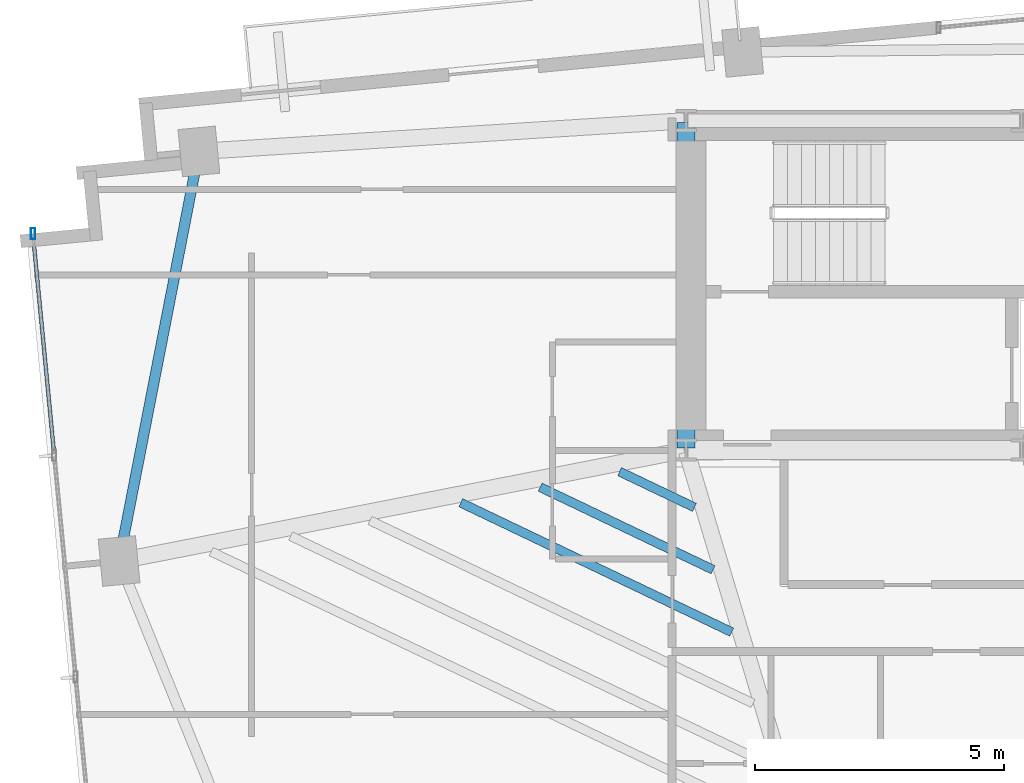
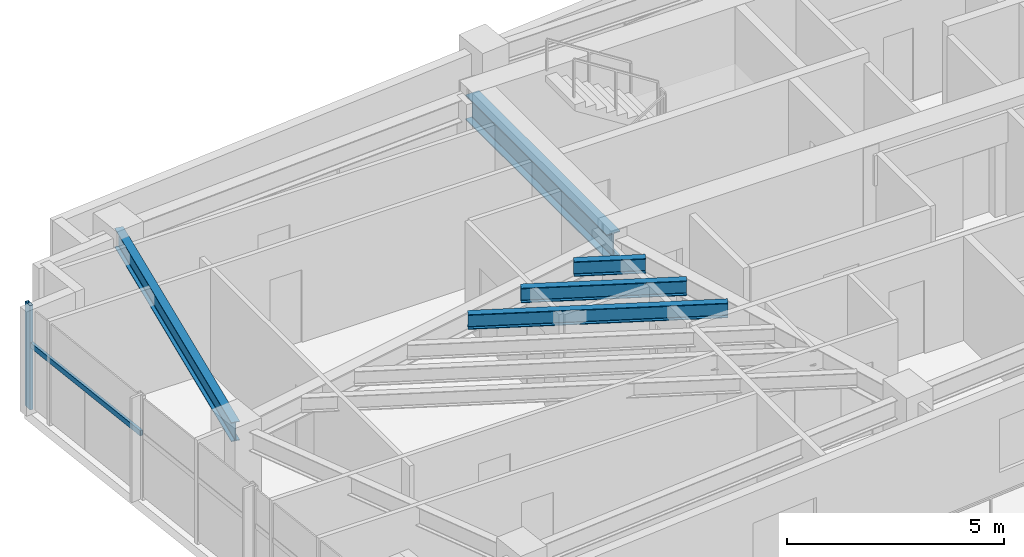
# One storey, part 3 of 18: 5 beams, 2 members, 1 element without a shape of its own.
"""IFC4 building model written with IfcOpenShell, lengths in metres."""

from ifc_helpers import new_model, si_unit, direction, frame, origin, origin_2d, place, context, subcontext, project, spatial, hollow_rectangle, i_section, extrude, source, transform, mapped, material, material_profile, profile_set, type_object, type_shapes, element, aggregate, save


model = new_model("IFC4")

# Units and contexts
model_context = context("Model", 3, precision=1e-05, world=origin(), true_north=direction((0.0, 1.0)))
body_context = subcontext(model_context, "Body", "Model", "MODEL_VIEW")
ifc_project = project(units=[si_unit("LENGTHUNIT", "METRE"), si_unit("AREAUNIT", "SQUARE_METRE"), si_unit("VOLUMEUNIT", "CUBIC_METRE"), si_unit("PLANEANGLEUNIT", "RADIAN"), si_unit("MASSUNIT", "GRAM", prefix="KILO")], contexts=[model_context])

# Site, building, storey
site_placement = place(None, origin())
site = spatial("IfcSite", under=ifc_project, at=site_placement, CompositionType="ELEMENT")
building_placement = place(site_placement, origin())
building = spatial("IfcBuilding", under=site, at=building_placement, Name="Astriad Promenade Condominiums", CompositionType="ELEMENT")
storey_placement = place(building_placement, frame((0.0, 0.0, 198.60009765625)))
storey = spatial("IfcBuildingStorey", under=building, at=storey_placement, Name="L57", CompositionType="ELEMENT", Elevation=198.60009765625)

# Beams
ifc_material_1 = material(Name="Steel ASTM A992 Grade 50", Category="steel")
ifc_material_profile_1 = material_profile(ifc_material_1, i_section(OverallWidth=0.35791015625, OverallDepth=0.706298828125, WebThickness=0.018310546875, FlangeThickness=0.0302734375, FilletRadius=0.020263671875, at=origin_2d()), Name="W27X178")
ifc_profile_set_1 = profile_set([ifc_material_profile_1], Name="Steel ASTM A992 Grade 50")
beam_type_1 = type_object("IfcBeamType", Name="STEEL FLOOR GIRDER W27X178", PredefinedType="BEAM", material=ifc_profile_set_1)
shared_shape_1 = source(origin(), body_context, "Body", "SweptSolid", [
    extrude(i_section(OverallWidth=0.35791015625, OverallDepth=0.706298828125, WebThickness=0.018310546875, FlangeThickness=0.0302734375, FilletRadius=0.020263671875, at=origin_2d()), origin(), (0.0, 0.0, 1.0), 6.52001953125),
])
type_shapes(beam_type_1, [shared_shape_1])
beam_1_placement = place(storey_placement, frame((26.39990234375, 17.43994140625, 2.586669921875), z_axis=(0.0, 1.0, 0.0), x_axis=(-1.0, 0.0, 0.0)))
element("IfcBeam", 1, at=beam_1_placement, inside=storey, type_object=beam_type_1, Name="Core Ring Beam CG-W1-L57", PredefinedType="BEAM", context=body_context, shape_type="MappedRepresentation", body=[
    mapped(shared_shape_1, transform((0.0, 0.0, 0.0), scale=1.0)),
])
ifc_material_profile_2 = material_profile(ifc_material_1, i_section(OverallWidth=0.210693359375, OverallDepth=0.53955078125, WebThickness=0.01171875, FlangeThickness=0.018798828125, FilletRadius=0.0166015625, at=origin_2d()), Name="W21X73")
ifc_profile_set_2 = profile_set([ifc_material_profile_2], Name="Steel ASTM A992 Grade 50")
beam_type_2 = type_object("IfcBeamType", Name="STEEL SPANDREL BEAM W21X73", PredefinedType="SPANDREL", material=ifc_profile_set_2)
shared_shape_2 = source(origin(), body_context, "Body", "SweptSolid", [
    extrude(i_section(OverallWidth=0.210693359375, OverallDepth=0.53955078125, WebThickness=0.01171875, FlangeThickness=0.018798828125, FilletRadius=0.0166015625, at=origin_2d()), origin(), (0.0, 0.0, 1.0), 8.28564453125),
])
type_shapes(beam_type_2, [shared_shape_2])
beam_2_placement = place(storey_placement, frame((16.62451171875, 23.3447265625, 2.670166015625), z_axis=(-0.191291582099, -0.981533254973, 0.0), x_axis=(0.981533254973, -0.191291582099, 0.0)))
element("IfcBeam", 2, at=beam_2_placement, inside=storey, type_object=beam_type_2, Name="Perimeter Spandrel Beam SP-W2-L57", PredefinedType="SPANDREL", context=body_context, shape_type="MappedRepresentation", body=[
    mapped(shared_shape_2, transform((0.0, 0.0, 0.0), scale=1.0)),
])
ifc_material_profile_3 = material_profile(ifc_material_1, i_section(OverallWidth=0.180908203125, OverallDepth=0.417236328125, WebThickness=0.010986328125, FlangeThickness=0.018310546875, FilletRadius=0.013916015625, at=origin_2d()), Name="W16X57")
ifc_profile_set_3 = profile_set([ifc_material_profile_3], Name="Steel ASTM A992 Grade 50")
beam_type_3 = type_object("IfcBeamType", Name="STEEL FLOOR JOIST W16X57", PredefinedType="JOIST", material=ifc_profile_set_3)
shared_shape_3 = source(origin(), body_context, "Body", "SweptSolid", [
    extrude(i_section(OverallWidth=0.180908203125, OverallDepth=0.417236328125, WebThickness=0.010986328125, FlangeThickness=0.018310546875, FilletRadius=0.013916015625, at=origin_2d()), origin(), (0.0, 0.0, 1.0), 6.01904296875),
])
beam_3_placement = place(storey_placement, frame((21.882080078125, 16.342041015625, 2.731201171875), z_axis=(0.902329759838, -0.431046406446, 0.0), x_axis=(0.431046406446, 0.902329759838, 0.0)))
element("IfcBeam", 3, at=beam_3_placement, inside=storey, type_object=beam_type_3, Name="Secondary Composite Floor Joist JW1-4-L57", PredefinedType="JOIST", context=body_context, shape_type="MappedRepresentation", body=[
    mapped(shared_shape_3, transform((0.0, 0.0, 0.0), scale=1.0)),
])
shared_shape_4 = source(origin(), body_context, "Body", "SweptSolid", [
    extrude(i_section(OverallWidth=0.180908203125, OverallDepth=0.417236328125, WebThickness=0.010986328125, FlangeThickness=0.018310546875, FilletRadius=0.013916015625, at=origin_2d()), origin(), (0.0, 0.0, 1.0), 3.84130859375),
])
beam_4_placement = place(storey_placement, frame((23.473388671875, 16.65380859375, 2.731201171875), z_axis=(0.902328811953, -0.431048390693, 0.0), x_axis=(0.431048390693, 0.902328811953, 0.0)))
element("IfcBeam", 4, at=beam_4_placement, inside=storey, type_object=beam_type_3, Name="Secondary Composite Floor Joist JW1-5-L57", PredefinedType="JOIST", context=body_context, shape_type="MappedRepresentation", body=[
    mapped(shared_shape_4, transform((0.0, 0.0, 0.0), scale=1.0)),
])
shared_shape_5 = source(origin(), body_context, "Body", "SweptSolid", [
    extrude(i_section(OverallWidth=0.180908203125, OverallDepth=0.417236328125, WebThickness=0.010986328125, FlangeThickness=0.018310546875, FilletRadius=0.013916015625, at=origin_2d()), origin(), (0.0, 0.0, 1.0), 1.6630859375),
])
type_shapes(beam_type_3, [shared_shape_3, shared_shape_4, shared_shape_5])
beam_5_placement = place(storey_placement, frame((25.065185546875, 16.965576171875, 2.731201171875), z_axis=(0.902355200591, -0.430993146077, 0.0), x_axis=(0.430993146077, 0.902355200591, 0.0)))
element("IfcBeam", 5, at=beam_5_placement, inside=storey, type_object=beam_type_3, Name="Secondary Composite Floor Joist JW1-6-L57", PredefinedType="JOIST", context=body_context, shape_type="MappedRepresentation", body=[
    mapped(shared_shape_5, transform((0.0, 0.0, 0.0), scale=1.0)),
])

# Curtain wall, members
ifc_material_2 = material(Name="Anodised aluminium Black Dark Glass Unitised", Category="aluminium")
curtain_wall_type = type_object("IfcCurtainWallType", Name="CW-B34-DARK", PredefinedType="USERDEFINED", material=ifc_material_2)
curtain_wall_placement = place(storey_placement, origin())
curtain_wall = element("IfcCurtainWall", 6, at=curtain_wall_placement, inside=storey, type_object=curtain_wall_type, Name="CW-L57-W", ObjectType="UNITISED_CURTAIN_WALL", PredefinedType="USERDEFINED")
ifc_material_3 = material(Name="Anodised aluminium 6063-T6 Black", Category="aluminium")
ifc_material_profile_4 = material_profile(ifc_material_3, hollow_rectangle(XDim=0.0849609375, YDim=0.219970703125, WallThickness=0.0048828125, at=origin_2d()), Name="ALU-MUL-85X220")
ifc_profile_set_4 = profile_set([ifc_material_profile_4], Name="Anodised aluminium 6063-T6 Black")
member_type_1 = type_object("IfcMemberType", Name="MUL-ALU-MUL-85X220", PredefinedType="MULLION", material=ifc_profile_set_4)
shared_shape_6 = source(origin(), body_context, "Body", "SweptSolid", [
    extrude(hollow_rectangle(XDim=0.0849609375, YDim=0.219970703125, WallThickness=0.0048828125, at=origin_2d()), origin(), (0.0, 0.0, 1.0), 2.93994140625),
])
type_shapes(member_type_1, [shared_shape_6])
member_1_placement = place(storey_placement, frame((13.3046875, 21.737548828125, 0.0), z_axis=(0.0, 0.0, 1.0), x_axis=(1.0, 0.0, 0.0)))
member_1 = element("IfcMember", 7, at=member_1_placement, type_object=member_type_1, Name="CW-L57-W-MUL-03", PredefinedType="MULLION", context=body_context, shape_type="MappedRepresentation", body=[
    mapped(shared_shape_6, transform((0.0, 0.0, 0.0), scale=1.0)),
])
ifc_material_profile_5 = material_profile(ifc_material_3, hollow_rectangle(XDim=0.074951171875, YDim=0.14990234375, WallThickness=0.004150390625, at=origin_2d()), Name="ALU-TRN-75X150")
ifc_profile_set_5 = profile_set([ifc_material_profile_5], Name="Anodised aluminium 6063-T6 Black")
member_type_2 = type_object("IfcMemberType", Name="TRN-ALU-TRN-75X150", PredefinedType="USERDEFINED", material=ifc_profile_set_5)
shared_shape_7 = source(origin(), body_context, "Body", "SweptSolid", [
    extrude(hollow_rectangle(XDim=0.074951171875, YDim=0.14990234375, WallThickness=0.004150390625, at=origin_2d()), origin(), (0.0, 0.0, 1.0), 4.466552734375),
])
type_shapes(member_type_2, [shared_shape_7])
member_2_placement = place(storey_placement, frame((13.732666015625, 17.29150390625, 1.82275390625), z_axis=(-0.095817598554, 0.995398908884, 0.0), x_axis=(-0.995398908884, -0.095817598554, 0.0)))
member_2 = element("IfcMember", 8, at=member_2_placement, type_object=member_type_2, Name="CW-L57-W-TRN-02-0", ObjectType="TRANSOM", PredefinedType="USERDEFINED", context=body_context, shape_type="MappedRepresentation", body=[
    mapped(shared_shape_7, transform((0.0, 0.0, 0.0), scale=1.0)),
])
aggregate(curtain_wall, [member_1, member_2])

save(model, "model.ifc")
